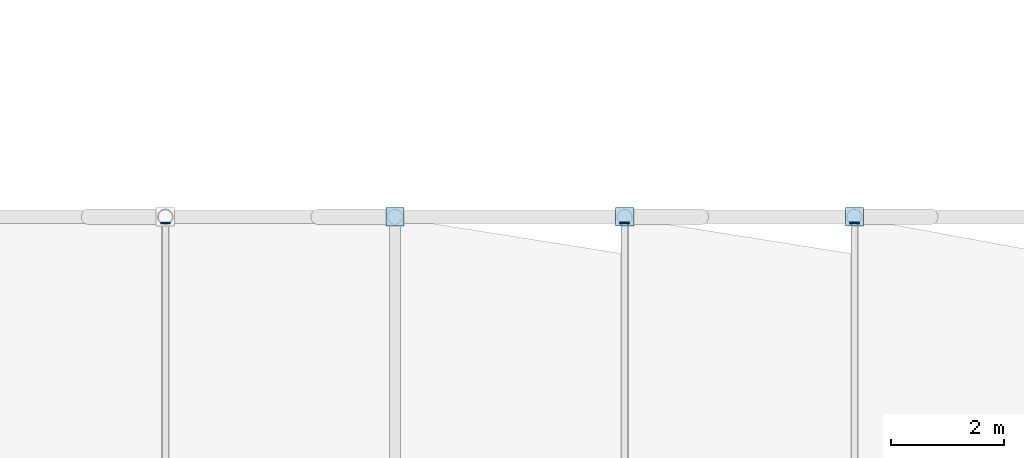
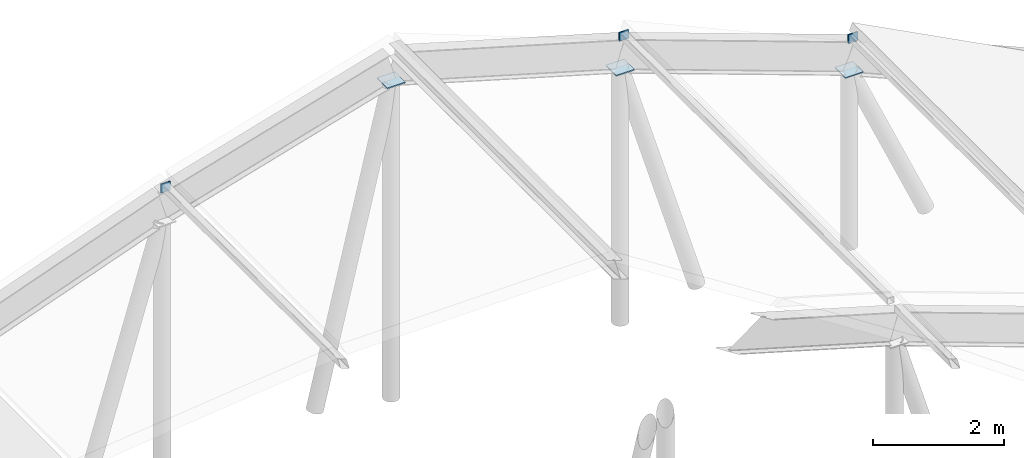
# One storey, part 20 of 22: 6 plates.
"""IFC4 building model written with IfcOpenShell, lengths in metres."""

from ifc_helpers import new_model, si_unit, direction, frame, origin, origin_2d, place, context, subcontext, project, spatial, rectangle, extrude, material, layer, layer_set, type_object, element, save


model = new_model("IFC4")

# Units and contexts
model_context = context("Model", 3, precision=1e-05, world=origin(), true_north=direction((0.0, 1.0)))
body_context = subcontext(model_context, "Body", "Model", "MODEL_VIEW")
ifc_project = project(units=[si_unit("LENGTHUNIT", "METRE"), si_unit("AREAUNIT", "SQUARE_METRE"), si_unit("VOLUMEUNIT", "CUBIC_METRE"), si_unit("PLANEANGLEUNIT", "RADIAN"), si_unit("MASSUNIT", "GRAM", prefix="KILO")], contexts=[model_context])

# Site, building, storey
site_placement = place(None, origin())
site = spatial("IfcSite", under=ifc_project, at=site_placement, CompositionType="ELEMENT")
building_placement = place(site_placement, origin())
building = spatial("IfcBuilding", under=site, at=building_placement, Name="Vireocrest Preparatory School", CompositionType="ELEMENT")
storey_placement = place(building_placement, frame((0.0, 0.0, 25.800048828125)))
storey = spatial("IfcBuildingStorey", under=building, at=storey_placement, Name="RF", CompositionType="ELEMENT", Elevation=25.800048828125)

# Plates
ifc_material = material(Name="Structural steel ASTM A572 Grade 50", Category="steel")
ifc_layer = layer(ifc_material, 0.02001953125)
ifc_layer_set = layer_set([ifc_layer], Name="Structural steel ASTM A572 Grade 50")
plate_type = type_object("IfcPlateType", Name="Hollow Section Steel End Cap Plate 20", PredefinedType="SHEET", material=ifc_layer_set)
for number, where, z_axis, x_axis, name in (
    (1, (79.800048828125, 85.800048828125, 3.287841796875), (0.0, 0.0, 1.0), (1.0, 0.0, 0.0), "Canopy Web Cap CP1-8-4T"),
    (2, (83.85009765625, 85.800048828125, 2.10791015625), (0.0, 0.0, 1.0), (1.0, 0.0, 0.0), "Canopy Web Cap CP1-8-5T"),
    (3, (87.89990234375, 85.800048828125, 0.64794921875), (0.0, 0.0, 1.0), (1.0, 0.0, 0.0), "Canopy Web Cap CP1-8-6T"),
):
    element("IfcPlate", number, at=place(storey_placement, frame(where, z_axis=z_axis, x_axis=x_axis)), inside=storey, type_object=plate_type, Name=name, PredefinedType="SHEET", context=body_context, shape_type="SweptSolid", body=[
        extrude(rectangle(XDim=0.320068359375, YDim=0.320068359375, at=origin_2d()), origin(), (0.0, 0.0, 1.0), 0.02001953125),
    ])
for number, where, z_axis, x_axis, name in (
    (4, (75.75, 85.68994140625, 2.70849609375), (0.0, 0.0, 1.0), (1.0, 0.0, 0.0), "Canopy Purlin Cap CP1-7-4"),
    (5, (83.85009765625, 85.68994140625, 2.70849609375), (0.0, 0.0, 1.0), (1.0, 0.0, 0.0), "Canopy Purlin Cap CP1-7-6"),
    (6, (87.89990234375, 85.68994140625, 1.24853515625), (0.0, 0.0, 1.0), (1.0, 0.0, 0.0), "Canopy Purlin Cap CP1-7-7"),
):
    element("IfcPlate", number, at=place(storey_placement, frame(where, z_axis=z_axis, x_axis=x_axis)), inside=storey, type_object=plate_type, Name=name, PredefinedType="SHEET", context=body_context, shape_type="SweptSolid", body=[
        extrude(rectangle(XDim=0.1669921875, YDim=0.02001953125, at=origin_2d()), origin(), (0.0, 0.0, 1.0), 0.1669921875),
    ])

save(model, "model.ifc")
